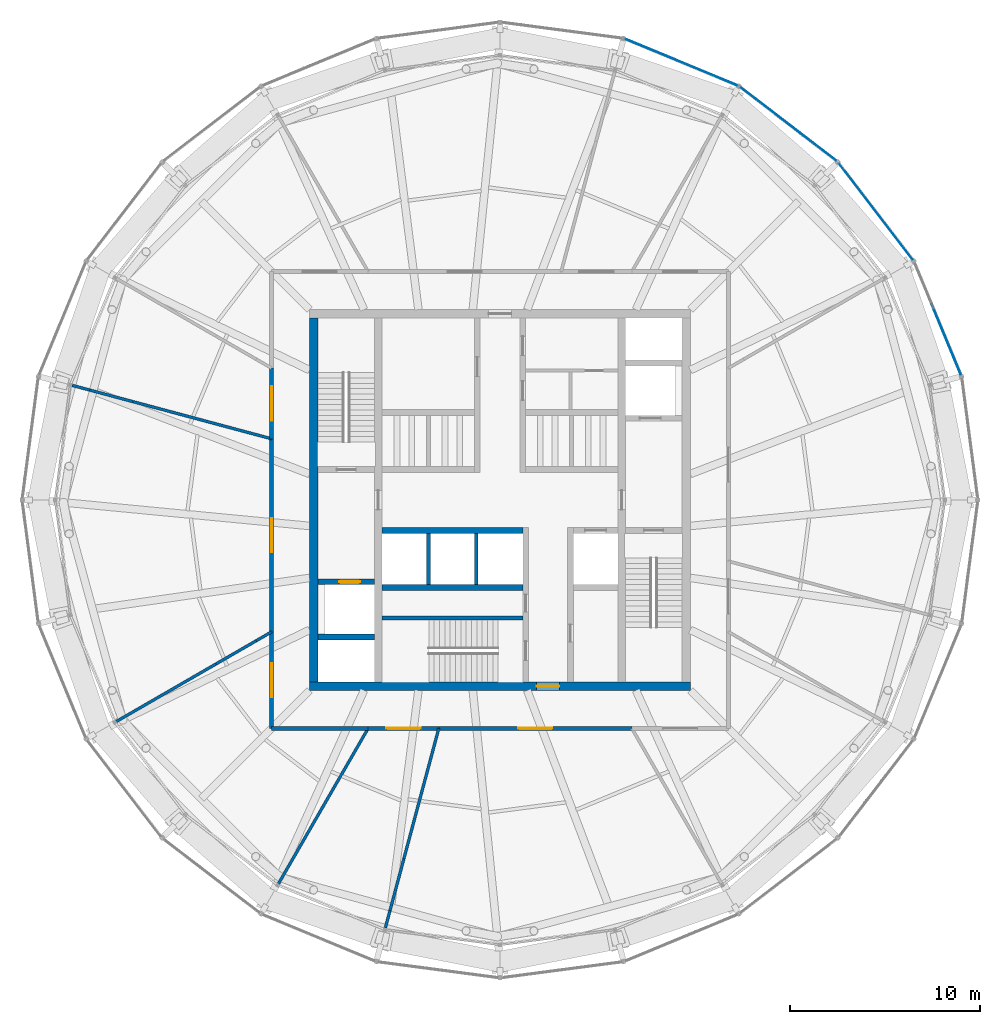
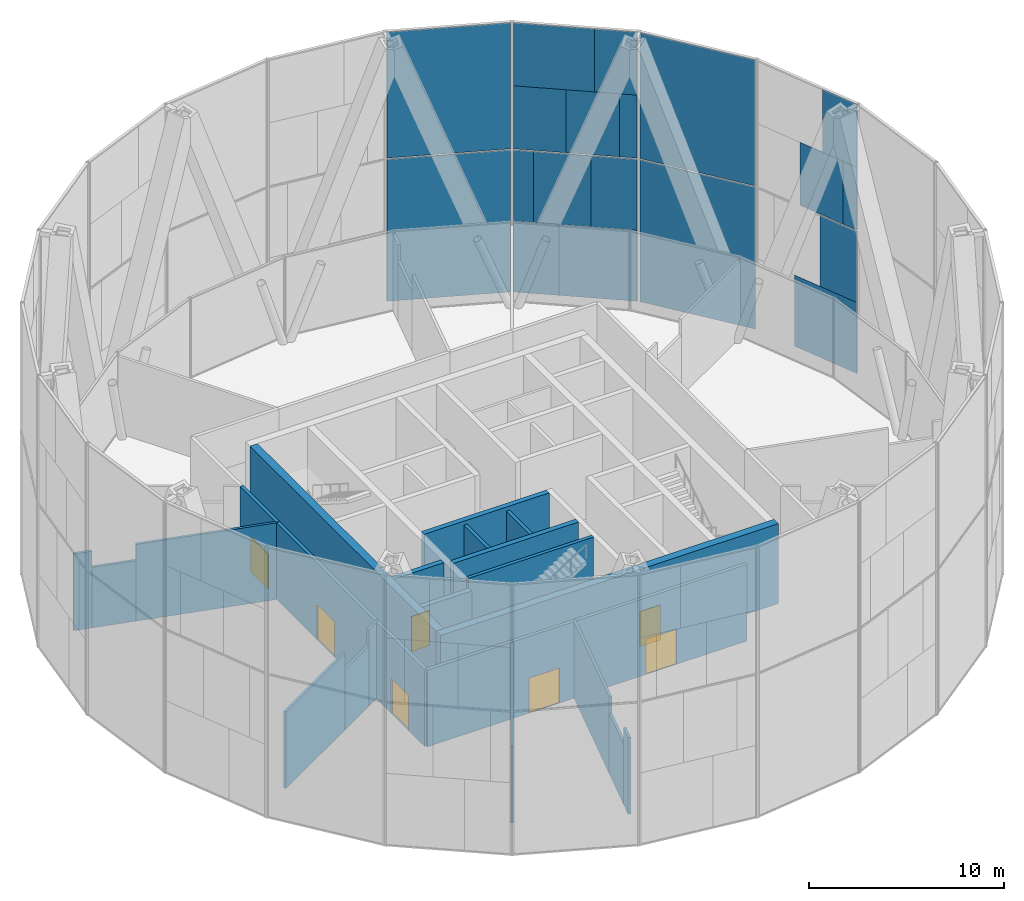
# One storey, part 12 of 15: 25 walls, 19 plates, 7 doors, 7 openings, 4 elements without a shape of their own.
"""IFC4 building model written with IfcOpenShell, lengths in metres."""

from ifc_helpers import new_model, si_unit, direction, frame, frame_2d, origin, origin_2d, place, context, subcontext, project, spatial, rectangle, extrude, material, layer, layer_set, type_object, element, fill, aggregate, save


model = new_model("IFC4")

# Units and contexts
model_context = context("Model", 3, precision=1e-05, world=origin(), true_north=direction((0.0, 1.0)))
body_context = subcontext(model_context, "Body", "Model", "MODEL_VIEW")
ifc_project = project(units=[si_unit("LENGTHUNIT", "METRE"), si_unit("AREAUNIT", "SQUARE_METRE"), si_unit("VOLUMEUNIT", "CUBIC_METRE"), si_unit("PLANEANGLEUNIT", "RADIAN"), si_unit("MASSUNIT", "GRAM", prefix="KILO")], contexts=[model_context])

# Site, building, storey
site_placement = place(None, origin())
site = spatial("IfcSite", under=ifc_project, at=site_placement, CompositionType="ELEMENT")
building_placement = place(site_placement, origin())
building = spatial("IfcBuilding", under=site, at=building_placement, Name="Golbaran Civic Tower", CompositionType="ELEMENT")
storey_placement = place(building_placement, frame((0.0, 0.0, 215.0)))
storey = spatial("IfcBuildingStorey", under=building, at=storey_placement, Name="L52", CompositionType="ELEMENT", Elevation=215.0)

# Curtain wall, plates
ifc_material_1 = material(Name="Aluminium and glass", Category="aluminium")
curtain_wall_type = type_object("IfcCurtainWallType", Name="OUTER SKIN TERRACOTTA SCREEN", PredefinedType="NOTDEFINED", material=ifc_material_1)
curtain_wall_1_placement = place(storey_placement, origin())
curtain_wall_1 = element("IfcCurtainWall", 1, at=curtain_wall_1_placement, inside=storey, type_object=curtain_wall_type, Name="Outer skin L52 facet 2 CW3", ObjectType="OUTER SKIN", PredefinedType="USERDEFINED")
ifc_material_2 = material(Name="Clear laminated glass", Category="glass")
ifc_layer_1 = layer(ifc_material_2, 0.0400390625, Name="Clear laminated glass")
ifc_layer_set_1 = layer_set([ifc_layer_1], Name="Clear laminated glass")
plate_type_1 = type_object("IfcPlateType", Name="OUTER SKIN CLEAR GLASS PANEL", PredefinedType="CURTAIN_PANEL", material=ifc_layer_set_1)
plate_1_placement = place(storey_placement, frame((23.4482421875, 8.434814453125, -0.6298828125), z_axis=(0.0, 0.0, 1.0), x_axis=(-0.38268343243, 0.923879532485, 0.0)))
plate_1 = element("IfcPlate", 2, at=plate_1_placement, type_object=plate_type_1, Name="CW3 panel 1.1 part 1", PredefinedType="CURTAIN_PANEL", context=body_context, shape_type="SweptSolid", body=[
    extrude(rectangle(XDim=4.032958984375, YDim=0.0400390625, at=origin_2d()), origin(), (0.0, 0.0, 1.0), 4.43994140625),
])
plate_2_placement = place(storey_placement, frame((23.761962890625, 7.67724609375, 3.81005859375), z_axis=(0.0, 0.0, 1.0), x_axis=(-0.38268343243, 0.923879532485, 0.0)))
plate_2 = element("IfcPlate", 3, at=plate_2_placement, type_object=plate_type_1, Name="CW3 panel 1.1 part 3", PredefinedType="CURTAIN_PANEL", context=body_context, shape_type="SweptSolid", body=[
    extrude(rectangle(XDim=2.39306640625, YDim=0.0400390625, at=origin_2d()), origin(), (0.0, 0.0, 1.0), 4.43994140625),
])
plate_3_placement = place(storey_placement, frame((24.046142578125, 6.9912109375, 8.330078125), z_axis=(0.0, 0.0, 1.0), x_axis=(-0.38268343243, 0.923879532485, 0.0)))
plate_3 = element("IfcPlate", 4, at=plate_3_placement, type_object=plate_type_1, Name="CW3 panel 1.2 part 1", PredefinedType="CURTAIN_PANEL", context=body_context, shape_type="SweptSolid", body=[
    extrude(rectangle(XDim=0.907958984375, YDim=0.0400390625, at=origin_2d()), origin(), (0.0, 0.0, 1.0), 3.93994140625),
])

curtain_wall_2_placement = place(storey_placement, origin())
curtain_wall_2 = element("IfcCurtainWall", 5, at=curtain_wall_2_placement, inside=storey, type_object=curtain_wall_type, Name="Outer skin L52 facet 4 CW3", ObjectType="OUTER SKIN", PredefinedType="USERDEFINED")
plate_4_placement = place(storey_placement, frame((16.08935546875, 19.02880859375, -0.6298828125), z_axis=(0.0, 0.0, 1.0), x_axis=(-0.793353340259, 0.60876142905, 0.0)))
plate_4 = element("IfcPlate", 6, at=plate_4_placement, type_object=plate_type_1, Name="CW3 panel 1.1 part 1", PredefinedType="CURTAIN_PANEL", context=body_context, shape_type="SweptSolid", body=[
    extrude(rectangle(XDim=4.032958984375, YDim=0.0400390625, at=origin_2d()), origin(), (0.0, 0.0, 1.0), 4.43994140625),
])
plate_5_placement = place(storey_placement, frame((16.739990234375, 18.52978515625, 3.81005859375), z_axis=(0.0, 0.0, 1.0), x_axis=(-0.793353340259, 0.60876142905, 0.0)))
plate_5 = element("IfcPlate", 7, at=plate_5_placement, type_object=plate_type_1, Name="CW3 panel 1.1 part 3", PredefinedType="CURTAIN_PANEL", context=body_context, shape_type="SweptSolid", body=[
    extrude(rectangle(XDim=2.39306640625, YDim=0.0400390625, at=origin_2d()), origin(), (0.0, 0.0, 1.0), 4.43994140625),
])
plate_6_placement = place(storey_placement, frame((13.029052734375, 21.377197265625, 3.81005859375), z_axis=(0.0, 0.0, 1.0), x_axis=(-0.793353340259, 0.60876142905, 0.0)))
plate_6 = element("IfcPlate", 8, at=plate_6_placement, type_object=plate_type_1, Name="CW3 panel 1.1 part 5", PredefinedType="CURTAIN_PANEL", context=body_context, shape_type="SweptSolid", body=[
    extrude(rectangle(XDim=1.0400390625, YDim=0.0400390625, at=origin_2d()), origin(), (0.0, 0.0, 1.0), 4.43994140625),
])
plate_7_placement = place(storey_placement, frame((17.328857421875, 18.07763671875, 8.330078125), z_axis=(0.0, 0.0, 1.0), x_axis=(-0.793353340259, 0.60876142905, 0.0)))
plate_7 = element("IfcPlate", 9, at=plate_7_placement, type_object=plate_type_1, Name="CW3 panel 1.2 part 1", PredefinedType="CURTAIN_PANEL", context=body_context, shape_type="SweptSolid", body=[
    extrude(rectangle(XDim=0.907958984375, YDim=0.0400390625, at=origin_2d()), origin(), (0.0, 0.0, 1.0), 3.93994140625),
])
plate_8_placement = place(storey_placement, frame((13.693115234375, 20.86767578125, 8.330078125), z_axis=(0.0, 0.0, 1.0), x_axis=(-0.793353340259, 0.60876142905, 0.0)))
plate_8 = element("IfcPlate", 10, at=plate_8_placement, type_object=plate_type_1, Name="CW3 panel 1.2 part 3", PredefinedType="CURTAIN_PANEL", context=body_context, shape_type="SweptSolid", body=[
    extrude(rectangle(XDim=2.7138671875, YDim=0.0400390625, at=origin_2d()), origin(), (0.0, 0.0, 1.0), 3.93994140625),
])
plate_9_placement = place(storey_placement, frame((14.272705078125, 20.4228515625, 12.27001953125), z_axis=(0.0, 0.0, 1.0), x_axis=(-0.793353340259, 0.60876142905, 0.0)))
plate_9 = element("IfcPlate", 11, at=plate_9_placement, type_object=plate_type_1, Name="CW3 panel 1.2 part 5", PredefinedType="CURTAIN_PANEL", context=body_context, shape_type="SweptSolid", body=[
    extrude(rectangle(XDim=4.175048828125, YDim=0.0400390625, at=origin_2d()), origin(), (0.0, 0.0, 1.0), 3.93994140625),
])

# Plate
ifc_material_3 = material(Name="Terracotta baguette screen", Category="masonry")
ifc_layer_2 = layer(ifc_material_3, 0.0400390625, Name="Terracotta baguette screen")
ifc_layer_set_2 = layer_set([ifc_layer_2], Name="Terracotta baguette screen")
plate_type_2 = type_object("IfcPlateType", Name="OUTER SKIN TERRACOTTA INFILL PANEL", PredefinedType="CURTAIN_PANEL", material=ifc_layer_set_2)
plate_10_placement = place(storey_placement, frame((23.342041015625, 8.691162109375, 8.330078125), z_axis=(0.0, 0.0, 1.0), x_axis=(-0.38268343243, 0.923879532485, 0.0)))
plate_10 = element("IfcPlate", 12, at=plate_10_placement, type_object=plate_type_2, Name="CW3 infill panel 1.2 part 2", PredefinedType="CURTAIN_PANEL", context=body_context, shape_type="SweptSolid", body=[
    extrude(rectangle(XDim=2.77197265625, YDim=0.0400390625, at=origin_2d()), origin(), (0.0, 0.0, 1.0), 3.93994140625),
])

plate_11_placement = place(storey_placement, frame((23.79541015625, 7.596923828125, 12.27001953125), z_axis=(0.0, 0.0, 1.0), x_axis=(-0.38268343243, 0.923879532485, 0.0)))
plate_11 = element("IfcPlate", 13, at=plate_11_placement, type_object=plate_type_2, Name="CW3 infill panel 1.2 part 4", PredefinedType="CURTAIN_PANEL", context=body_context, shape_type="SweptSolid", body=[
    extrude(rectangle(XDim=2.218994140625, YDim=0.0400390625, at=origin_2d()), origin(), (0.0, 0.0, 1.0), 3.93994140625),
])

aggregate(curtain_wall_1, [plate_1, plate_2, plate_3, plate_10, plate_11])

plate_12_placement = place(storey_placement, frame((13.552978515625, 20.97509765625, -0.6298828125), z_axis=(0.0, 0.0, 1.0), x_axis=(-0.793353340259, 0.60876142905, 0.0)))
plate_12 = element("IfcPlate", 14, at=plate_12_placement, type_object=plate_type_2, Name="CW3 infill panel 1.1 part 2", PredefinedType="CURTAIN_PANEL", context=body_context, shape_type="SweptSolid", body=[
    extrude(rectangle(XDim=2.361083984375, YDim=0.0400390625, at=origin_2d()), origin(), (0.0, 0.0, 1.0), 4.43994140625),
])

plate_13_placement = place(storey_placement, frame((14.6162109375, 20.159423828125, 3.81005859375), z_axis=(0.0, 0.0, 1.0), x_axis=(-0.793353340259, 0.60876142905, 0.0)))
plate_13 = element("IfcPlate", 15, at=plate_13_placement, type_object=plate_type_2, Name="CW3 infill panel 1.1 part 4", PredefinedType="CURTAIN_PANEL", context=body_context, shape_type="SweptSolid", body=[
    extrude(rectangle(XDim=2.9609375, YDim=0.0400390625, at=origin_2d()), origin(), (0.0, 0.0, 1.0), 4.43994140625),
])

plate_14_placement = place(storey_placement, frame((15.869140625, 19.19775390625, 8.330078125), z_axis=(0.0, 0.0, 1.0), x_axis=(-0.793353340259, 0.60876142905, 0.0)))
plate_14 = element("IfcPlate", 16, at=plate_14_placement, type_object=plate_type_2, Name="CW3 infill panel 1.2 part 2", PredefinedType="CURTAIN_PANEL", context=body_context, shape_type="SweptSolid", body=[
    extrude(rectangle(XDim=2.77197265625, YDim=0.0400390625, at=origin_2d()), origin(), (0.0, 0.0, 1.0), 3.93994140625),
])

plate_15_placement = place(storey_placement, frame((16.808837890625, 18.476806640625, 12.27001953125), z_axis=(0.0, 0.0, 1.0), x_axis=(-0.793353340259, 0.60876142905, 0.0)))
plate_15 = element("IfcPlate", 17, at=plate_15_placement, type_object=plate_type_2, Name="CW3 infill panel 1.2 part 4", PredefinedType="CURTAIN_PANEL", context=body_context, shape_type="SweptSolid", body=[
    extrude(rectangle(XDim=2.218994140625, YDim=0.0400390625, at=origin_2d()), origin(), (0.0, 0.0, 1.0), 3.93994140625),
])

aggregate(curtain_wall_2, [plate_4, plate_12, plate_5, plate_13, plate_6, plate_7, plate_14, plate_8, plate_15, plate_9])

# Curtain wall, plates
curtain_wall_3_placement = place(storey_placement, origin())
curtain_wall_3 = element("IfcCurtainWall", 18, at=curtain_wall_3_placement, inside=storey, type_object=curtain_wall_type, Name="Outer skin L52 facet 3 CW3", ObjectType="OUTER SKIN", PredefinedType="USERDEFINED")
ifc_layer_3 = layer(ifc_material_3, 0.0400390625, Name="Terracotta baguette screen")
ifc_layer_set_3 = layer_set([ifc_layer_3], Name="Terracotta baguette screen")
plate_type_3 = type_object("IfcPlateType", Name="OUTER SKIN TERRACOTTA SCREEN PANEL", PredefinedType="CURTAIN_PANEL", material=ifc_layer_set_3)
plate_16_placement = place(storey_placement, frame((19.74755859375, 15.15283203125, -0.6298828125), z_axis=(0.0, 0.0, 1.0), x_axis=(-0.60876142905, 0.793353340259, 0.0)))
plate_16 = element("IfcPlate", 19, at=plate_16_placement, type_object=plate_type_3, Name="CW3 terracotta screen panel 1.1", PredefinedType="CURTAIN_PANEL", context=body_context, shape_type="SweptSolid", body=[
    extrude(rectangle(XDim=6.39404296875, YDim=0.0400390625, at=origin_2d()), origin(), (0.0, 0.0, 1.0), 8.8798828125),
])
plate_17_placement = place(storey_placement, frame((19.74755859375, 15.15283203125, 8.330078125), z_axis=(0.0, 0.0, 1.0), x_axis=(-0.60876142905, 0.793353340259, 0.0)))
plate_17 = element("IfcPlate", 20, at=plate_17_placement, type_object=plate_type_3, Name="CW3 terracotta screen panel 1.2", PredefinedType="CURTAIN_PANEL", context=body_context, shape_type="SweptSolid", body=[
    extrude(rectangle(XDim=6.39404296875, YDim=0.0400390625, at=origin_2d()), origin(), (0.0, 0.0, 1.0), 7.8798828125),
])
aggregate(curtain_wall_3, [plate_16, plate_17])

curtain_wall_4_placement = place(storey_placement, origin())
curtain_wall_4 = element("IfcCurtainWall", 21, at=curtain_wall_4_placement, inside=storey, type_object=curtain_wall_type, Name="Outer skin L52 facet 5 CW3", ObjectType="OUTER SKIN", PredefinedType="USERDEFINED")
plate_18_placement = place(storey_placement, frame((9.525390625, 22.99658203125, -0.6298828125), z_axis=(0.0, 0.0, 1.0), x_axis=(-0.923879532485, 0.38268343243, 0.0)))
plate_18 = element("IfcPlate", 22, at=plate_18_placement, type_object=plate_type_3, Name="CW3 terracotta screen panel 1.1", PredefinedType="CURTAIN_PANEL", context=body_context, shape_type="SweptSolid", body=[
    extrude(rectangle(XDim=6.39404296875, YDim=0.0400390625, at=origin_2d()), origin(), (0.0, 0.0, 1.0), 8.8798828125),
])
plate_19_placement = place(storey_placement, frame((9.525390625, 22.99658203125, 8.330078125), z_axis=(0.0, 0.0, 1.0), x_axis=(-0.923879532485, 0.38268343243, 0.0)))
plate_19 = element("IfcPlate", 23, at=plate_19_placement, type_object=plate_type_3, Name="CW3 terracotta screen panel 1.2", PredefinedType="CURTAIN_PANEL", context=body_context, shape_type="SweptSolid", body=[
    extrude(rectangle(XDim=6.39404296875, YDim=0.0400390625, at=origin_2d()), origin(), (0.0, 0.0, 1.0), 7.8798828125),
])
aggregate(curtain_wall_4, [plate_18, plate_19])

# Wall, opening, door
ifc_material_4 = material(Name="Concrete C50/60", Category="concrete")
ifc_layer_4 = layer(ifc_material_4, 0.449951171875, Name="Concrete C50/60")
ifc_layer_set_4 = layer_set([ifc_layer_4], Name="Concrete C50/60")
wall_type_1 = type_object("IfcWallType", Name="CORE WALL CONCRETE 450", PredefinedType="SOLIDWALL", material=ifc_layer_set_4)
wall_1_placement = place(storey_placement, frame((10.0, -9.77490234375, 0.0), z_axis=(0.0, 0.0, 1.0), x_axis=(-1.0, 0.0, 0.0)))
wall_1 = element("IfcWall", 24, at=wall_1_placement, inside=storey, type_object=wall_type_1, Name="Core wall CS L52", PredefinedType="SOLIDWALL", context=body_context, shape_type="SweptSolid", body=[
    extrude(rectangle(XDim=20.0, YDim=0.449951171875, at=frame_2d((10.0, 0.0))), origin(), (0.0, 0.0, 1.0), 5.0),
])
opening_1_placement = place(wall_1_placement, frame((6.875, 0.0, 0.0)))
opening_1 = element("IfcOpeningElement", 25, at=opening_1_placement, cuts=wall_1, Name="Opening L52.CS", PredefinedType="OPENING", context=body_context, shape_type="SweptSolid", body=[
    extrude(rectangle(XDim=1.199951171875, YDim=2.199951171875, at=frame_2d((0.60009765625, 1.10009765625))), frame((0.0, 0.23486328125, 0.0), z_axis=(0.0, -1.0, 0.0), x_axis=(1.0, 0.0, 0.0)), (0.0, 0.0, 1.0), 0.469970703125),
])
ifc_material_5 = material(Name="Timber door set in steel frame", Category="steel")
door_type_1 = type_object("IfcDoorType", Name="CORE DOOR 1200x2200", OperationType="DOUBLE_DOOR_SINGLE_SWING", PredefinedType="DOOR", material=ifc_material_5)
door_1_placement = place(opening_1_placement, origin())
door_1 = element("IfcDoor", 26, at=door_1_placement, inside=storey, type_object=door_type_1, Name="Core door south", OperationType="DOUBLE_DOOR_SINGLE_SWING", OverallHeight=2.199951171875, OverallWidth=1.199951171875, PredefinedType="DOOR", context=body_context, shape_type="SweptSolid", body=[
    extrude(rectangle(XDim=1.199951171875, YDim=2.199951171875, at=frame_2d((0.60009765625, 1.10009765625))), frame((0.0, 0.02490234375, 0.0), z_axis=(0.0, -1.0, 0.0), x_axis=(1.0, 0.0, 0.0)), (0.0, 0.0, 1.0), 0.050048828125),
])
fill(opening_1, door_1)

# Wall
wall_2_placement = place(storey_placement, frame((-9.77490234375, 9.550048828125, 0.0), z_axis=(0.0, 0.0, 1.0), x_axis=(0.0, -1.0, 0.0)))
element("IfcWall", 27, at=wall_2_placement, inside=storey, type_object=wall_type_1, Name="Core wall CW L52", PredefinedType="SOLIDWALL", context=body_context, shape_type="SweptSolid", body=[
    extrude(rectangle(XDim=19.10009765625, YDim=0.449951171875, at=frame_2d((9.550048828125, 0.0))), origin(), (0.0, 0.0, 1.0), 5.0),
])

# Wall, opening, door
ifc_material_6 = material(Name="Gypsum board on steel studs, fire-rated", Category="steel")
ifc_layer_5 = layer(ifc_material_6, 0.199951171875, Name="Gypsum board on steel studs, fire-rated")
ifc_layer_set_5 = layer_set([ifc_layer_5], Name="Gypsum board on steel studs, fire-rated")
wall_type_2 = type_object("IfcWallType", Name="CORRIDOR WALL 200", PredefinedType="PARTITIONING", material=ifc_layer_set_5)
wall_3_placement = place(storey_placement, frame((-12.0, 6.92822265625, 0.0), z_axis=(0.0, 0.0, 1.0), x_axis=(0.0, -1.0, 0.0)))
wall_3 = element("IfcWall", 28, at=wall_3_placement, inside=storey, type_object=wall_type_2, Name="Corridor wall L52", PredefinedType="PARTITIONING", context=body_context, shape_type="SweptSolid", body=[
    extrude(rectangle(XDim=3.712890625, YDim=0.199951171875, at=frame_2d((1.8564453125, 0.0))), origin(), (0.0, 0.0, 1.0), 4.800048828125),
])
opening_2_placement = place(wall_3_placement, frame((0.956298828125, 0.0, 0.0)))
opening_2 = element("IfcOpeningElement", 29, at=opening_2_placement, cuts=wall_3, Name="Opening L52.07", PredefinedType="OPENING", context=body_context, shape_type="SweptSolid", body=[
    extrude(rectangle(XDim=1.800048828125, YDim=2.199951171875, at=frame_2d((0.89990234375, 1.10009765625))), frame((0.0, 0.10986328125, 0.0), z_axis=(0.0, -1.0, 0.0), x_axis=(1.0, 0.0, 0.0)), (0.0, 0.0, 1.0), 0.219970703125),
])
door_type_2 = type_object("IfcDoorType", Name="OFFICE DOUBLE DOOR 1800x2200", OperationType="DOUBLE_DOOR_SINGLE_SWING", PredefinedType="DOOR", material=ifc_material_5)
door_2_placement = place(opening_2_placement, origin())
door_2 = element("IfcDoor", 30, at=door_2_placement, inside=storey, type_object=door_type_2, Name="Refuge Area door L52", OperationType="DOUBLE_DOOR_SINGLE_SWING", OverallHeight=2.199951171875, OverallWidth=1.800048828125, PredefinedType="DOOR", context=body_context, shape_type="SweptSolid", body=[
    extrude(rectangle(XDim=1.800048828125, YDim=2.199951171875, at=frame_2d((0.89990234375, 1.10009765625))), frame((0.0, 0.02490234375, 0.0), z_axis=(0.0, -1.0, 0.0), x_axis=(1.0, 0.0, 0.0)), (0.0, 0.0, 1.0), 0.050048828125),
])
fill(opening_2, door_2)

wall_4_placement = place(storey_placement, frame((-12.0, 3.21533203125, 0.0), z_axis=(0.0, 0.0, 1.0), x_axis=(0.0, -1.0, 0.0)))
wall_4 = element("IfcWall", 31, at=wall_4_placement, inside=storey, type_object=wall_type_2, Name="Corridor wall L52", PredefinedType="PARTITIONING", context=body_context, shape_type="SweptSolid", body=[
    extrude(rectangle(XDim=10.1435546875, YDim=0.199951171875, at=frame_2d((5.07177734375, 0.0))), origin(), (0.0, 0.0, 1.0), 4.800048828125),
])
opening_3_placement = place(wall_4_placement, frame((4.171875, 0.0, 0.0)))
opening_3 = element("IfcOpeningElement", 32, at=opening_3_placement, cuts=wall_4, Name="Opening L52.08", PredefinedType="OPENING", context=body_context, shape_type="SweptSolid", body=[
    extrude(rectangle(XDim=1.800048828125, YDim=2.199951171875, at=frame_2d((0.89990234375, 1.10009765625))), frame((0.0, 0.10986328125, 0.0), z_axis=(0.0, -1.0, 0.0), x_axis=(1.0, 0.0, 0.0)), (0.0, 0.0, 1.0), 0.219970703125),
])
door_3_placement = place(opening_3_placement, origin())
door_3 = element("IfcDoor", 33, at=door_3_placement, inside=storey, type_object=door_type_2, Name="Air Handling Plant Room door L52", OperationType="DOUBLE_DOOR_SINGLE_SWING", OverallHeight=2.199951171875, OverallWidth=1.800048828125, PredefinedType="DOOR", context=body_context, shape_type="SweptSolid", body=[
    extrude(rectangle(XDim=1.800048828125, YDim=2.199951171875, at=frame_2d((0.89990234375, 1.10009765625))), frame((0.0, 0.02490234375, 0.0), z_axis=(0.0, -1.0, 0.0), x_axis=(1.0, 0.0, 0.0)), (0.0, 0.0, 1.0), 0.050048828125),
])
fill(opening_3, door_3)

wall_5_placement = place(storey_placement, frame((-12.0, -6.92822265625, 0.0), z_axis=(0.0, 0.0, 1.0), x_axis=(0.0, -1.0, 0.0)))
wall_5 = element("IfcWall", 34, at=wall_5_placement, inside=storey, type_object=wall_type_2, Name="Corridor wall L52", PredefinedType="PARTITIONING", context=body_context, shape_type="SweptSolid", body=[
    extrude(rectangle(XDim=5.07177734375, YDim=0.199951171875, at=frame_2d((2.535888671875, 0.0))), origin(), (0.0, 0.0, 1.0), 4.800048828125),
])
opening_4_placement = place(wall_5_placement, frame((1.635986328125, 0.0, 0.0)))
opening_4 = element("IfcOpeningElement", 35, at=opening_4_placement, cuts=wall_5, Name="Opening L52.09", PredefinedType="OPENING", context=body_context, shape_type="SweptSolid", body=[
    extrude(rectangle(XDim=1.800048828125, YDim=2.199951171875, at=frame_2d((0.89990234375, 1.10009765625))), frame((0.0, 0.10986328125, 0.0), z_axis=(0.0, -1.0, 0.0), x_axis=(1.0, 0.0, 0.0)), (0.0, 0.0, 1.0), 0.219970703125),
])
door_4_placement = place(opening_4_placement, origin())
door_4 = element("IfcDoor", 36, at=door_4_placement, inside=storey, type_object=door_type_2, Name="Water Tank Room door L52", OperationType="DOUBLE_DOOR_SINGLE_SWING", OverallHeight=2.199951171875, OverallWidth=1.800048828125, PredefinedType="DOOR", context=body_context, shape_type="SweptSolid", body=[
    extrude(rectangle(XDim=1.800048828125, YDim=2.199951171875, at=frame_2d((0.89990234375, 1.10009765625))), frame((0.0, 0.02490234375, 0.0), z_axis=(0.0, -1.0, 0.0), x_axis=(1.0, 0.0, 0.0)), (0.0, 0.0, 1.0), 0.050048828125),
])
fill(opening_4, door_4)

# Wall
wall_6_placement = place(storey_placement, frame((-12.0, -12.0, 0.0), z_axis=(0.0, 0.0, 1.0), x_axis=(1.0, 0.0, 0.0)))
element("IfcWall", 37, at=wall_6_placement, inside=storey, type_object=wall_type_2, Name="Corridor wall L52", PredefinedType="PARTITIONING", context=body_context, shape_type="SweptSolid", body=[
    extrude(rectangle(XDim=5.07177734375, YDim=0.199951171875, at=frame_2d((2.535888671875, 0.0))), origin(), (0.0, 0.0, 1.0), 4.800048828125),
])

# Wall, opening, door
wall_7_placement = place(storey_placement, frame((-6.92822265625, -12.0, 0.0), z_axis=(0.0, 0.0, 1.0), x_axis=(1.0, 0.0, 0.0)))
wall_7 = element("IfcWall", 38, at=wall_7_placement, inside=storey, type_object=wall_type_2, Name="Corridor wall L52", PredefinedType="PARTITIONING", context=body_context, shape_type="SweptSolid", body=[
    extrude(rectangle(XDim=3.712890625, YDim=0.199951171875, at=frame_2d((1.8564453125, 0.0))), origin(), (0.0, 0.0, 1.0), 4.800048828125),
])
opening_5_placement = place(wall_7_placement, frame((0.956298828125, 0.0, 0.0)))
opening_5 = element("IfcOpeningElement", 39, at=opening_5_placement, cuts=wall_7, Name="Opening L52.10", PredefinedType="OPENING", context=body_context, shape_type="SweptSolid", body=[
    extrude(rectangle(XDim=1.800048828125, YDim=2.199951171875, at=frame_2d((0.89990234375, 1.10009765625))), frame((0.0, 0.10986328125, 0.0), z_axis=(0.0, -1.0, 0.0), x_axis=(1.0, 0.0, 0.0)), (0.0, 0.0, 1.0), 0.219970703125),
])
door_5_placement = place(opening_5_placement, origin())
door_5 = element("IfcDoor", 40, at=door_5_placement, inside=storey, type_object=door_type_2, Name="Chiller Plant Room door L52", OperationType="DOUBLE_DOOR_SINGLE_SWING", OverallHeight=2.199951171875, OverallWidth=1.800048828125, PredefinedType="DOOR", context=body_context, shape_type="SweptSolid", body=[
    extrude(rectangle(XDim=1.800048828125, YDim=2.199951171875, at=frame_2d((0.89990234375, 1.10009765625))), frame((0.0, 0.02490234375, 0.0), z_axis=(0.0, -1.0, 0.0), x_axis=(1.0, 0.0, 0.0)), (0.0, 0.0, 1.0), 0.050048828125),
])
fill(opening_5, door_5)

wall_8_placement = place(storey_placement, frame((-3.21533203125, -12.0, 0.0), z_axis=(0.0, 0.0, 1.0), x_axis=(1.0, 0.0, 0.0)))
wall_8 = element("IfcWall", 41, at=wall_8_placement, inside=storey, type_object=wall_type_2, Name="Corridor wall L52", PredefinedType="PARTITIONING", context=body_context, shape_type="SweptSolid", body=[
    extrude(rectangle(XDim=10.1435546875, YDim=0.199951171875, at=frame_2d((5.07177734375, 0.0))), origin(), (0.0, 0.0, 1.0), 4.800048828125),
])
opening_6_placement = place(wall_8_placement, frame((4.171875, 0.0, 0.0)))
opening_6 = element("IfcOpeningElement", 42, at=opening_6_placement, cuts=wall_8, Name="Opening L52.11", PredefinedType="OPENING", context=body_context, shape_type="SweptSolid", body=[
    extrude(rectangle(XDim=1.800048828125, YDim=2.199951171875, at=frame_2d((0.89990234375, 1.10009765625))), frame((0.0, 0.10986328125, 0.0), z_axis=(0.0, -1.0, 0.0), x_axis=(1.0, 0.0, 0.0)), (0.0, 0.0, 1.0), 0.219970703125),
])
door_6_placement = place(opening_6_placement, origin())
door_6 = element("IfcDoor", 43, at=door_6_placement, inside=storey, type_object=door_type_2, Name="Refuge Area door L52", OperationType="DOUBLE_DOOR_SINGLE_SWING", OverallHeight=2.199951171875, OverallWidth=1.800048828125, PredefinedType="DOOR", context=body_context, shape_type="SweptSolid", body=[
    extrude(rectangle(XDim=1.800048828125, YDim=2.199951171875, at=frame_2d((0.89990234375, 1.10009765625))), frame((0.0, 0.02490234375, 0.0), z_axis=(0.0, -1.0, 0.0), x_axis=(1.0, 0.0, 0.0)), (0.0, 0.0, 1.0), 0.050048828125),
])
fill(opening_6, door_6)

# Walls
ifc_material_7 = material(Name="Concrete block", Category="concrete")
ifc_layer_6 = layer(ifc_material_7, 0.199951171875, Name="Concrete block")
ifc_layer_set_6 = layer_set([ifc_layer_6], Name="Concrete block")
wall_type_3 = type_object("IfcWallType", Name="LIFT SEPARATOR WALL 200", PredefinedType="SOLIDWALL", material=ifc_layer_set_6)
for number, where, z_axis, x_axis, name in (
    (44, (-3.75, -1.75, 0.0), (0.0, 0.0, 1.0), (0.0, -1.0, 0.0), "Core partition SSW L52"),
    (45, (-1.25, -1.75, 0.0), (0.0, 0.0, 1.0), (0.0, -1.0, 0.0), "Core partition SSM L52"),
):
    element("IfcWall", number, at=place(storey_placement, frame(where, z_axis=z_axis, x_axis=x_axis)), inside=storey, type_object=wall_type_3, Name=name, PredefinedType="SOLIDWALL", context=body_context, shape_type="SweptSolid", body=[
        extrude(rectangle(XDim=2.699951171875, YDim=0.199951171875, at=frame_2d((1.35009765625, 0.0))), origin(), (0.0, 0.0, 1.0), 4.75),
    ])
ifc_material_8 = material(Name="Gypsum board on steel studs", Category="steel")
ifc_layer_7 = layer(ifc_material_8, 0.14990234375, Name="Gypsum board on steel studs")
ifc_layer_set_7 = layer_set([ifc_layer_7], Name="Gypsum board on steel studs")
wall_type_4 = type_object("IfcWallType", Name="OFFICE PARTITION 150", PredefinedType="PARTITIONING", material=ifc_layer_set_7)
wall_9_placement = place(storey_placement, frame((-12.0, 3.21533203125, 0.0), z_axis=(0.0, 0.0, 1.0), x_axis=(-0.965923894696, 0.258826253797, 0.0)))
element("IfcWall", 46, at=wall_9_placement, inside=storey, type_object=wall_type_4, Name="Partition 165 L52", PredefinedType="PARTITIONING", context=body_context, shape_type="SweptSolid", body=[
    extrude(rectangle(XDim=7.533935546875, YDim=0.14990234375, at=frame_2d((3.76708984375, 0.0))), origin(), (0.0, 0.0, 1.0), 4.800048828125),
])
wall_10_placement = place(storey_placement, frame((-19.277099609375, 5.165283203125, 0.0), z_axis=(0.0, 0.0, 1.0), x_axis=(-0.965936478183, 0.258779288421, 0.0)))
element("IfcWall", 47, at=wall_10_placement, inside=storey, type_object=wall_type_4, Name="Partition 165 L52 (part 2)", PredefinedType="PARTITIONING", context=body_context, shape_type="SweptSolid", body=[
    extrude(rectangle(XDim=2.353759765625, YDim=0.14990234375, at=frame_2d((1.1767578125, 0.0))), origin(), (0.0, 0.0, 1.0), 3.7900390625),
])
wall_11_placement = place(storey_placement, frame((-21.55078125, 5.7744140625, 0.0), z_axis=(0.0, 0.0, 1.0), x_axis=(-0.965872225937, 0.25901900155, 0.0)))
element("IfcWall", 48, at=wall_11_placement, inside=storey, type_object=wall_type_4, Name="Partition 165 L52 (part 3)", PredefinedType="PARTITIONING", context=body_context, shape_type="SweptSolid", body=[
    extrude(rectangle(XDim=0.96337890625, YDim=0.14990234375, at=frame_2d((0.481689453125, 0.0))), origin(), (0.0, 0.0, 1.0), 4.800048828125),
])
wall_12_placement = place(storey_placement, frame((-12.0, -6.92822265625, 0.0), z_axis=(0.0, 0.0, 1.0), x_axis=(-0.866042712228, -0.499970019698, 0.0)))
element("IfcWall", 49, at=wall_12_placement, inside=storey, type_object=wall_type_4, Name="Partition 210 L52", PredefinedType="PARTITIONING", context=body_context, shape_type="SweptSolid", body=[
    extrude(rectangle(XDim=0.93896484375, YDim=0.14990234375, at=frame_2d((0.469482421875, 0.0))), origin(), (0.0, 0.0, 1.0), 4.800048828125),
])
wall_13_placement = place(storey_placement, frame((-12.813232421875, -7.397705078125, 0.0), z_axis=(0.0, 0.0, 1.0), x_axis=(-0.86601855109, -0.500011869027, 0.0)))
element("IfcWall", 50, at=wall_13_placement, inside=storey, type_object=wall_type_4, Name="Partition 210 L52 (part 2)", PredefinedType="PARTITIONING", context=body_context, shape_type="SweptSolid", body=[
    extrude(rectangle(XDim=2.43408203125, YDim=0.14990234375, at=frame_2d((1.217041015625, 0.0))), origin(), (0.0, 0.0, 1.0), 3.7900390625),
])
wall_14_placement = place(storey_placement, frame((-14.921142578125, -8.61474609375, 0.0), z_axis=(0.0, 0.0, 1.0), x_axis=(-0.866017437, -0.500013798622, 0.0)))
element("IfcWall", 51, at=wall_14_placement, inside=storey, type_object=wall_type_4, Name="Partition 210 L52 (part 3)", PredefinedType="PARTITIONING", context=body_context, shape_type="SweptSolid", body=[
    extrude(rectangle(XDim=6.044677734375, YDim=0.14990234375, at=frame_2d((3.0224609375, 0.0))), origin(), (0.0, 0.0, 1.0), 4.800048828125),
])
wall_15_placement = place(storey_placement, frame((-6.92822265625, -12.0, 0.0), z_axis=(0.0, 0.0, 1.0), x_axis=(-0.500008934908, -0.866020245151, 0.0)))
element("IfcWall", 52, at=wall_15_placement, inside=storey, type_object=wall_type_4, Name="Partition 240 L52", PredefinedType="PARTITIONING", context=body_context, shape_type="SweptSolid", body=[
    extrude(rectangle(XDim=9.417724609375, YDim=0.14990234375, at=frame_2d((4.708984375, 0.0))), origin(), (0.0, 0.0, 1.0), 4.800048828125),
])
wall_16_placement = place(storey_placement, frame((-3.21533203125, -12.0, 0.0), z_axis=(0.0, 0.0, 1.0), x_axis=(-0.258845050614, -0.965918857758, 0.0)))
element("IfcWall", 53, at=wall_16_placement, inside=storey, type_object=wall_type_4, Name="Partition 255 L52", PredefinedType="PARTITIONING", context=body_context, shape_type="SweptSolid", body=[
    extrude(rectangle(XDim=7.0927734375, YDim=0.14990234375, at=frame_2d((3.54638671875, 0.0))), origin(), (0.0, 0.0, 1.0), 4.800048828125),
])
wall_17_placement = place(storey_placement, frame((-5.05126953125, -18.85107421875, 0.0), z_axis=(0.0, 0.0, 1.0), x_axis=(-0.258741864149, -0.965946503558, 0.0)))
element("IfcWall", 54, at=wall_17_placement, inside=storey, type_object=wall_type_4, Name="Partition 255 L52 (part 2)", PredefinedType="PARTITIONING", context=body_context, shape_type="SweptSolid", body=[
    extrude(rectangle(XDim=2.815673828125, YDim=0.14990234375, at=frame_2d((1.40771484375, 0.0))), origin(), (0.0, 0.0, 1.0), 3.7900390625),
])
wall_18_placement = place(storey_placement, frame((-5.77978515625, -21.57080078125, 0.0), z_axis=(0.0, 0.0, 1.0), x_axis=(-0.259016592134, -0.965872872069, 0.0)))
element("IfcWall", 55, at=wall_18_placement, inside=storey, type_object=wall_type_4, Name="Partition 255 L52 (part 3)", PredefinedType="PARTITIONING", context=body_context, shape_type="SweptSolid", body=[
    extrude(rectangle(XDim=0.942626953125, YDim=0.14990234375, at=frame_2d((0.47119140625, 0.0))), origin(), (0.0, 0.0, 1.0), 4.800048828125),
])
ifc_layer_8 = layer(ifc_material_4, 0.199951171875, Name="Concrete C50/60")
ifc_layer_set_8 = layer_set([ifc_layer_8], Name="Concrete C50/60")
wall_type_5 = type_object("IfcWallType", Name="SHAFT WALL CONCRETE 200", PredefinedType="SOLIDWALL", material=ifc_layer_set_8)
wall_19_placement = place(storey_placement, frame((-6.199951171875, -6.199951171875, 0.0), z_axis=(0.0, 0.0, 1.0), x_axis=(1.0, 0.0, 0.0)))
element("IfcWall", 56, at=wall_19_placement, inside=storey, type_object=wall_type_5, Name="Core wall S3N L52", PredefinedType="SOLIDWALL", context=body_context, shape_type="SweptSolid", body=[
    extrude(rectangle(XDim=7.39990234375, YDim=0.199951171875, at=frame_2d((3.699951171875, 0.0))), origin(), (0.0, 0.0, 1.0), 5.0),
])
ifc_layer_9 = layer(ifc_material_4, 0.300048828125, Name="Concrete C50/60")
ifc_layer_set_9 = layer_set([ifc_layer_9], Name="Concrete C50/60")
wall_type_6 = type_object("IfcWallType", Name="SHAFT WALL CONCRETE 300", PredefinedType="SOLIDWALL", material=ifc_layer_set_9)
for number, where, z_axis, x_axis, name in (
    (57, (-6.199951171875, -1.60009765625, 0.0), (0.0, 0.0, 1.0), (1.0, 0.0, 0.0), "Core wall FSW L52"),
    (58, (-6.199951171875, -4.60009765625, 0.0), (0.0, 0.0, 1.0), (1.0, 0.0, 0.0), "Core wall BSW L52"),
):
    element("IfcWall", number, at=place(storey_placement, frame(where, z_axis=z_axis, x_axis=x_axis)), inside=storey, type_object=wall_type_6, Name=name, PredefinedType="SOLIDWALL", context=body_context, shape_type="SweptSolid", body=[
        extrude(rectangle(XDim=7.39990234375, YDim=0.300048828125, at=frame_2d((3.699951171875, 0.0))), origin(), (0.0, 0.0, 1.0), 5.0),
    ])

# Wall, opening, door
wall_20_placement = place(storey_placement, frame((-9.550048828125, -4.300048828125, 0.0), z_axis=(0.0, 0.0, 1.0), x_axis=(1.0, 0.0, 0.0)))
wall_20 = element("IfcWall", 59, at=wall_20_placement, inside=storey, type_object=wall_type_6, Name="Core wall XW2 L52", PredefinedType="SOLIDWALL", context=body_context, shape_type="SweptSolid", body=[
    extrude(rectangle(XDim=2.949951171875, YDim=0.300048828125, at=frame_2d((1.47509765625, 0.0))), origin(), (0.0, 0.0, 1.0), 5.0),
])
opening_7_placement = place(wall_20_placement, frame((1.10009765625, 0.0, 0.0)))
opening_7 = element("IfcOpeningElement", 60, at=opening_7_placement, cuts=wall_20, Name="Opening L52.LD-F1", PredefinedType="OPENING", context=body_context, shape_type="SweptSolid", body=[
    extrude(rectangle(XDim=1.10009765625, YDim=2.199951171875, at=frame_2d((0.550048828125, 1.10009765625))), frame((0.0, 0.159912109375, 0.0), z_axis=(0.0, -1.0, 0.0), x_axis=(1.0, 0.0, 0.0)), (0.0, 0.0, 1.0), 0.320068359375),
])
ifc_material_9 = material(Name="Stainless steel", Category="steel")
door_type_3 = type_object("IfcDoorType", Name="LIFT LANDING DOOR 1100x2200", OperationType="SLIDING_TO_LEFT", PredefinedType="DOOR", material=ifc_material_9)
door_7_placement = place(opening_7_placement, origin())
door_7 = element("IfcDoor", 61, at=door_7_placement, inside=storey, type_object=door_type_3, Name="Lift landing door F1", OperationType="SLIDING_TO_LEFT", OverallHeight=2.199951171875, OverallWidth=1.10009765625, PredefinedType="DOOR", context=body_context, shape_type="SweptSolid", body=[
    extrude(rectangle(XDim=1.10009765625, YDim=2.199951171875, at=frame_2d((0.550048828125, 1.10009765625))), frame((0.0, 0.02490234375, 0.0), z_axis=(0.0, -1.0, 0.0), x_axis=(1.0, 0.0, 0.0)), (0.0, 0.0, 1.0), 0.050048828125),
])
fill(opening_7, door_7)

# Wall
wall_21_placement = place(storey_placement, frame((-9.550048828125, -7.199951171875, 0.0), z_axis=(0.0, 0.0, 1.0), x_axis=(1.0, 0.0, 0.0)))
element("IfcWall", 62, at=wall_21_placement, inside=storey, type_object=wall_type_6, Name="Core wall XW3 L52", PredefinedType="SOLIDWALL", context=body_context, shape_type="SweptSolid", body=[
    extrude(rectangle(XDim=2.949951171875, YDim=0.300048828125, at=frame_2d((1.47509765625, 0.0))), origin(), (0.0, 0.0, 1.0), 5.0),
])

save(model, "model.ifc")
